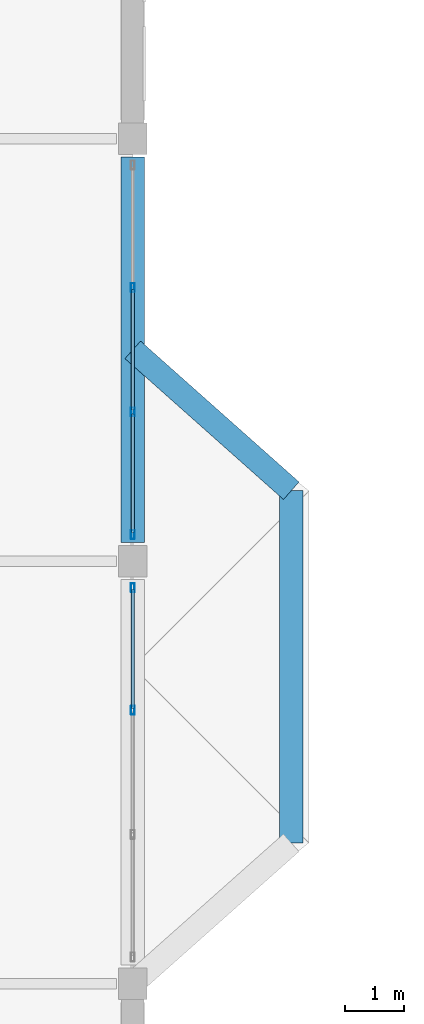
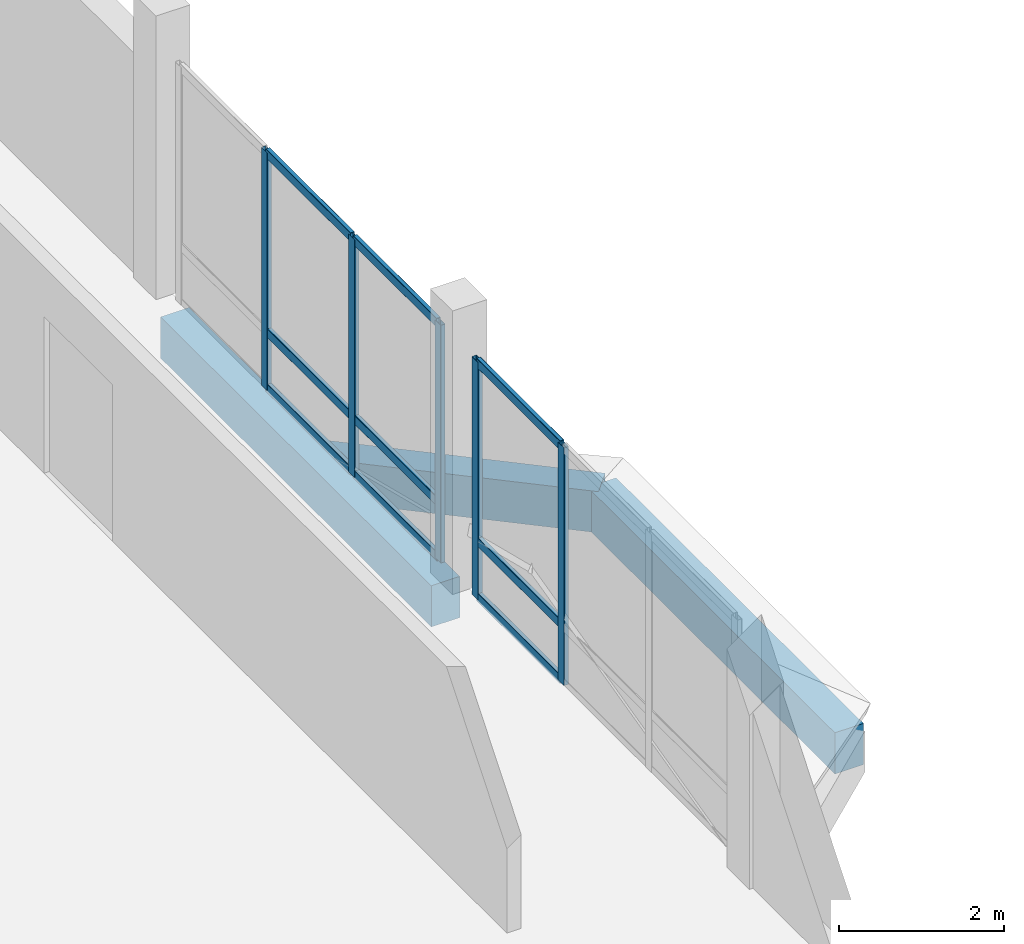
# One storey, part 17 of 72: 14 members, 3 beams, 2 elements without a shape of their own.
"""IFC4 building model written with IfcOpenShell, lengths in metres."""

from ifc_helpers import new_model, si_unit, direction, frame, origin, origin_2d, place, context, subcontext, project, spatial, rectangle, hollow_rectangle, extrude, material, material_profile, profile_set, type_object, element, aggregate, save


model = new_model("IFC4")

# Units and contexts
model_context = context("Model", 3, precision=1e-05, world=origin(), true_north=direction((0.0, 1.0)))
body_context = subcontext(model_context, "Body", "Model", "MODEL_VIEW")
ifc_project = project(units=[si_unit("LENGTHUNIT", "METRE"), si_unit("AREAUNIT", "SQUARE_METRE"), si_unit("VOLUMEUNIT", "CUBIC_METRE"), si_unit("PLANEANGLEUNIT", "RADIAN"), si_unit("MASSUNIT", "GRAM", prefix="KILO")], contexts=[model_context])

# Site, building, storey
site_placement = place(None, origin())
site = spatial("IfcSite", under=ifc_project, at=site_placement, CompositionType="ELEMENT")
building_placement = place(site_placement, origin())
building = spatial("IfcBuilding", under=site, at=building_placement, Name="Lusvemor Sports Hall", CompositionType="ELEMENT")
storey_placement = place(building_placement, frame((0.0, 0.0, 15.0)))
storey = spatial("IfcBuildingStorey", under=building, at=storey_placement, Name="L03", CompositionType="ELEMENT", Elevation=15.0)

# Curtain wall, members
ifc_material_1 = material(Name="Thermally broken bronze-anodized aluminium", Category="aluminium")
curtain_wall_type = type_object("IfcCurtainWallType", Name="CW_WING_B", PredefinedType="NOTDEFINED", material=ifc_material_1)
curtain_wall_1_placement = place(storey_placement, origin())
curtain_wall_1 = element("IfcCurtainWall", 1, at=curtain_wall_1_placement, inside=storey, type_object=curtain_wall_type, Name="Curtain Wall CW-L03-E-4-3", PredefinedType="NOTDEFINED")
ifc_material_2 = material(Name="Thermally broken bronze-anodized aluminium", Category="aluminium")
ifc_material_profile_1 = material_profile(ifc_material_2, hollow_rectangle(XDim=0.06494140625, YDim=0.14990234375, WallThickness=0.00390625, InnerFilletRadius=0.00390625, OuterFilletRadius=0.008056640625, at=origin_2d()), Name="CWMUL150x65x4")
ifc_profile_set_1 = profile_set([ifc_material_profile_1], Name="Thermally broken bronze-anodized aluminium")
member_type_1 = type_object("IfcMemberType", Name="CW_MUL_B", PredefinedType="MULLION", material=ifc_profile_set_1)
member_1_placement = place(storey_placement, frame((21.60009765625, 82.347412109375, 0.0), z_axis=(0.0, 0.0, 1.0), x_axis=(1.0, 0.0, 0.0)))
member_1 = element("IfcMember", 2, at=member_1_placement, type_object=member_type_1, Name="CW02 mullion 1", PredefinedType="MULLION", context=body_context, shape_type="SweptSolid", body=[
    extrude(hollow_rectangle(XDim=0.06494140625, YDim=0.14990234375, WallThickness=0.00390625, InnerFilletRadius=0.00390625, OuterFilletRadius=0.008056640625, at=origin_2d()), origin(), (0.0, 0.0, 1.0), 3.52001953125),
])
member_2_placement = place(storey_placement, frame((21.60009765625, 80.260009765625, 0.0), z_axis=(0.0, 0.0, 1.0), x_axis=(1.0, 0.0, 0.0)))
member_2 = element("IfcMember", 3, at=member_2_placement, type_object=member_type_1, Name="CW02 mullion 2", PredefinedType="MULLION", context=body_context, shape_type="SweptSolid", body=[
    extrude(hollow_rectangle(XDim=0.06494140625, YDim=0.14990234375, WallThickness=0.00390625, InnerFilletRadius=0.00390625, OuterFilletRadius=0.008056640625, at=origin_2d()), origin(), (0.0, 0.0, 1.0), 3.52001953125),
])

curtain_wall_2_placement = place(storey_placement, origin())
curtain_wall_2 = element("IfcCurtainWall", 4, at=curtain_wall_2_placement, inside=storey, type_object=curtain_wall_type, Name="Curtain Wall CW-L03-E-4-4", PredefinedType="NOTDEFINED")
member_3_placement = place(storey_placement, frame((21.60009765625, 87.4599609375, 0.0), z_axis=(0.0, 0.0, 1.0), x_axis=(1.0, 0.0, 0.0)))
member_3 = element("IfcMember", 5, at=member_3_placement, type_object=member_type_1, Name="CW02 mullion 2", PredefinedType="MULLION", context=body_context, shape_type="SweptSolid", body=[
    extrude(hollow_rectangle(XDim=0.06494140625, YDim=0.14990234375, WallThickness=0.00390625, InnerFilletRadius=0.00390625, OuterFilletRadius=0.008056640625, at=origin_2d()), origin(), (0.0, 0.0, 1.0), 3.52001953125),
])
member_4_placement = place(storey_placement, frame((21.60009765625, 85.340087890625, 0.0), z_axis=(0.0, 0.0, 1.0), x_axis=(1.0, 0.0, 0.0)))
member_4 = element("IfcMember", 6, at=member_4_placement, type_object=member_type_1, Name="CW02 mullion 3", PredefinedType="MULLION", context=body_context, shape_type="SweptSolid", body=[
    extrude(hollow_rectangle(XDim=0.06494140625, YDim=0.14990234375, WallThickness=0.00390625, InnerFilletRadius=0.00390625, OuterFilletRadius=0.008056640625, at=origin_2d()), origin(), (0.0, 0.0, 1.0), 3.52001953125),
])
member_5_placement = place(storey_placement, frame((21.60009765625, 83.25244140625, 0.0), z_axis=(0.0, 0.0, 1.0), x_axis=(1.0, 0.0, 0.0)))
member_5 = element("IfcMember", 7, at=member_5_placement, type_object=member_type_1, Name="CW02 mullion 4", PredefinedType="MULLION", context=body_context, shape_type="SweptSolid", body=[
    extrude(hollow_rectangle(XDim=0.06494140625, YDim=0.14990234375, WallThickness=0.00390625, InnerFilletRadius=0.00390625, OuterFilletRadius=0.008056640625, at=origin_2d()), origin(), (0.0, 0.0, 1.0), 3.52001953125),
])

# Member
ifc_material_3 = material(Name="Thermally broken bronze-anodized aluminium", Category="aluminium")
ifc_material_profile_2 = material_profile(ifc_material_3, hollow_rectangle(XDim=0.06005859375, YDim=0.135009765625, WallThickness=0.00390625, InnerFilletRadius=0.00390625, OuterFilletRadius=0.008056640625, at=origin_2d()), Name="CWTRN135x60x4")
ifc_profile_set_2 = profile_set([ifc_material_profile_2], Name="Thermally broken bronze-anodized aluminium")
member_type_2 = type_object("IfcMemberType", Name="CW_TRN_B", PredefinedType="USERDEFINED", material=ifc_profile_set_2)
member_6_placement = place(storey_placement, frame((21.60009765625, 82.31494140625, 0.030029296875), z_axis=(0.0, -1.0, 0.0), x_axis=(1.0, 0.0, 0.0)))
member_6 = element("IfcMember", 8, at=member_6_placement, type_object=member_type_2, Name="CW02 transom 1.1", ObjectType="TRANSOM", PredefinedType="USERDEFINED", context=body_context, shape_type="SweptSolid", body=[
    extrude(hollow_rectangle(XDim=0.06005859375, YDim=0.135009765625, WallThickness=0.00390625, InnerFilletRadius=0.00390625, OuterFilletRadius=0.008056640625, at=origin_2d()), origin(), (0.0, 0.0, 1.0), 2.0224609375),
])

member_7_placement = place(storey_placement, frame((21.60009765625, 82.31494140625, 0.85009765625), z_axis=(0.0, -1.0, 0.0), x_axis=(1.0, 0.0, 0.0)))
member_7 = element("IfcMember", 9, at=member_7_placement, type_object=member_type_2, Name="CW02 transom 1.2", ObjectType="TRANSOM", PredefinedType="USERDEFINED", context=body_context, shape_type="SweptSolid", body=[
    extrude(hollow_rectangle(XDim=0.06005859375, YDim=0.135009765625, WallThickness=0.00390625, InnerFilletRadius=0.00390625, OuterFilletRadius=0.008056640625, at=origin_2d()), origin(), (0.0, 0.0, 1.0), 2.0224609375),
])

member_8_placement = place(storey_placement, frame((21.60009765625, 82.31494140625, 3.489990234375), z_axis=(0.0, -1.0, 0.0), x_axis=(1.0, 0.0, 0.0)))
member_8 = element("IfcMember", 10, at=member_8_placement, type_object=member_type_2, Name="CW02 transom 1.3", ObjectType="TRANSOM", PredefinedType="USERDEFINED", context=body_context, shape_type="SweptSolid", body=[
    extrude(hollow_rectangle(XDim=0.06005859375, YDim=0.135009765625, WallThickness=0.00390625, InnerFilletRadius=0.00390625, OuterFilletRadius=0.008056640625, at=origin_2d()), origin(), (0.0, 0.0, 1.0), 2.0224609375),
])

aggregate(curtain_wall_1, [member_1, member_2, member_6, member_7, member_8])

member_9_placement = place(storey_placement, frame((21.60009765625, 87.427490234375, 0.030029296875), z_axis=(0.0, -1.0, 0.0), x_axis=(1.0, 0.0, 0.0)))
member_9 = element("IfcMember", 11, at=member_9_placement, type_object=member_type_2, Name="CW02 transom 2.1", ObjectType="TRANSOM", PredefinedType="USERDEFINED", context=body_context, shape_type="SweptSolid", body=[
    extrude(hollow_rectangle(XDim=0.06005859375, YDim=0.135009765625, WallThickness=0.00390625, InnerFilletRadius=0.00390625, OuterFilletRadius=0.008056640625, at=origin_2d()), origin(), (0.0, 0.0, 1.0), 2.054931640625),
])

member_10_placement = place(storey_placement, frame((21.60009765625, 87.427490234375, 0.85009765625), z_axis=(0.0, -1.0, 0.0), x_axis=(1.0, 0.0, 0.0)))
member_10 = element("IfcMember", 12, at=member_10_placement, type_object=member_type_2, Name="CW02 transom 2.2", ObjectType="TRANSOM", PredefinedType="USERDEFINED", context=body_context, shape_type="SweptSolid", body=[
    extrude(hollow_rectangle(XDim=0.06005859375, YDim=0.135009765625, WallThickness=0.00390625, InnerFilletRadius=0.00390625, OuterFilletRadius=0.008056640625, at=origin_2d()), origin(), (0.0, 0.0, 1.0), 2.054931640625),
])

member_11_placement = place(storey_placement, frame((21.60009765625, 87.427490234375, 3.489990234375), z_axis=(0.0, -1.0, 0.0), x_axis=(1.0, 0.0, 0.0)))
member_11 = element("IfcMember", 13, at=member_11_placement, type_object=member_type_2, Name="CW02 transom 2.3", ObjectType="TRANSOM", PredefinedType="USERDEFINED", context=body_context, shape_type="SweptSolid", body=[
    extrude(hollow_rectangle(XDim=0.06005859375, YDim=0.135009765625, WallThickness=0.00390625, InnerFilletRadius=0.00390625, OuterFilletRadius=0.008056640625, at=origin_2d()), origin(), (0.0, 0.0, 1.0), 2.054931640625),
])

member_12_placement = place(storey_placement, frame((21.60009765625, 85.3076171875, 0.030029296875), z_axis=(0.0, -1.0, 0.0), x_axis=(1.0, 0.0, 0.0)))
member_12 = element("IfcMember", 14, at=member_12_placement, type_object=member_type_2, Name="CW02 transom 3.1", ObjectType="TRANSOM", PredefinedType="USERDEFINED", context=body_context, shape_type="SweptSolid", body=[
    extrude(hollow_rectangle(XDim=0.06005859375, YDim=0.135009765625, WallThickness=0.00390625, InnerFilletRadius=0.00390625, OuterFilletRadius=0.008056640625, at=origin_2d()), origin(), (0.0, 0.0, 1.0), 2.022705078125),
])

member_13_placement = place(storey_placement, frame((21.60009765625, 85.3076171875, 0.85009765625), z_axis=(0.0, -1.0, 0.0), x_axis=(1.0, 0.0, 0.0)))
member_13 = element("IfcMember", 15, at=member_13_placement, type_object=member_type_2, Name="CW02 transom 3.2", ObjectType="TRANSOM", PredefinedType="USERDEFINED", context=body_context, shape_type="SweptSolid", body=[
    extrude(hollow_rectangle(XDim=0.06005859375, YDim=0.135009765625, WallThickness=0.00390625, InnerFilletRadius=0.00390625, OuterFilletRadius=0.008056640625, at=origin_2d()), origin(), (0.0, 0.0, 1.0), 2.022705078125),
])

member_14_placement = place(storey_placement, frame((21.60009765625, 85.3076171875, 3.489990234375), z_axis=(0.0, -1.0, 0.0), x_axis=(1.0, 0.0, 0.0)))
member_14 = element("IfcMember", 16, at=member_14_placement, type_object=member_type_2, Name="CW02 transom 3.3", ObjectType="TRANSOM", PredefinedType="USERDEFINED", context=body_context, shape_type="SweptSolid", body=[
    extrude(hollow_rectangle(XDim=0.06005859375, YDim=0.135009765625, WallThickness=0.00390625, InnerFilletRadius=0.00390625, OuterFilletRadius=0.008056640625, at=origin_2d()), origin(), (0.0, 0.0, 1.0), 2.022705078125),
])

aggregate(curtain_wall_2, [member_3, member_4, member_5, member_9, member_10, member_11, member_12, member_13, member_14])

# Beams
ifc_material_4 = material(Name="Concrete C40/50", Category="concrete")
ifc_material_profile_3 = material_profile(ifc_material_4, rectangle(XDim=0.39990234375, YDim=0.610107421875, at=origin_2d()), Name="RC400x610")
ifc_profile_set_3 = profile_set([ifc_material_profile_3], Name="Concrete C40/50")
beam_type = type_object("IfcBeamType", Name="SPAND_EXT_650", PredefinedType="SPANDREL", material=ifc_profile_set_3)
beam_1_placement = place(storey_placement, frame((21.60009765625, 83.115966796875, -0.544921875), z_axis=(0.0, 1.0, 0.0), x_axis=(-1.0, 0.0, 0.0)))
element("IfcBeam", 17, at=beam_1_placement, inside=storey, type_object=beam_type, Name="Beam L03 3:L-M", PredefinedType="SPANDREL", context=body_context, shape_type="SweptSolid", body=[
    extrude(rectangle(XDim=0.39990234375, YDim=0.610107421875, at=origin_2d()), origin(), (0.0, 0.0, 1.0), 6.568115234375),
])
beam_2_placement = place(storey_placement, frame((21.60009765625, 86.39990234375, -0.56494140625), z_axis=(0.747416776234, -0.66435544899, 0.0), x_axis=(0.66435544899, 0.747416776234, 0.0)))
element("IfcBeam", 18, at=beam_2_placement, inside=storey, type_object=beam_type, Name="Bow Pavilion Edge Beam BOW-CT L03-1", PredefinedType="SPANDREL", context=body_context, shape_type="SweptSolid", body=[
    extrude(rectangle(XDim=0.39990234375, YDim=0.610107421875, at=origin_2d()), origin(), (0.0, 0.0, 1.0), 3.6123046875),
])
beam_3_placement = place(storey_placement, frame((24.300048828125, 84.0, -0.56494140625), z_axis=(0.0, -1.0, 0.0), x_axis=(1.0, 0.0, 0.0)))
element("IfcBeam", 19, at=beam_3_placement, inside=storey, type_object=beam_type, Name="Bow Pavilion Edge Beam BOW-CT L03-2", PredefinedType="SPANDREL", context=body_context, shape_type="SweptSolid", body=[
    extrude(rectangle(XDim=0.39990234375, YDim=0.610107421875, at=origin_2d()), origin(), (0.0, 0.0, 1.0), 6.0),
])

save(model, "model.ifc")
